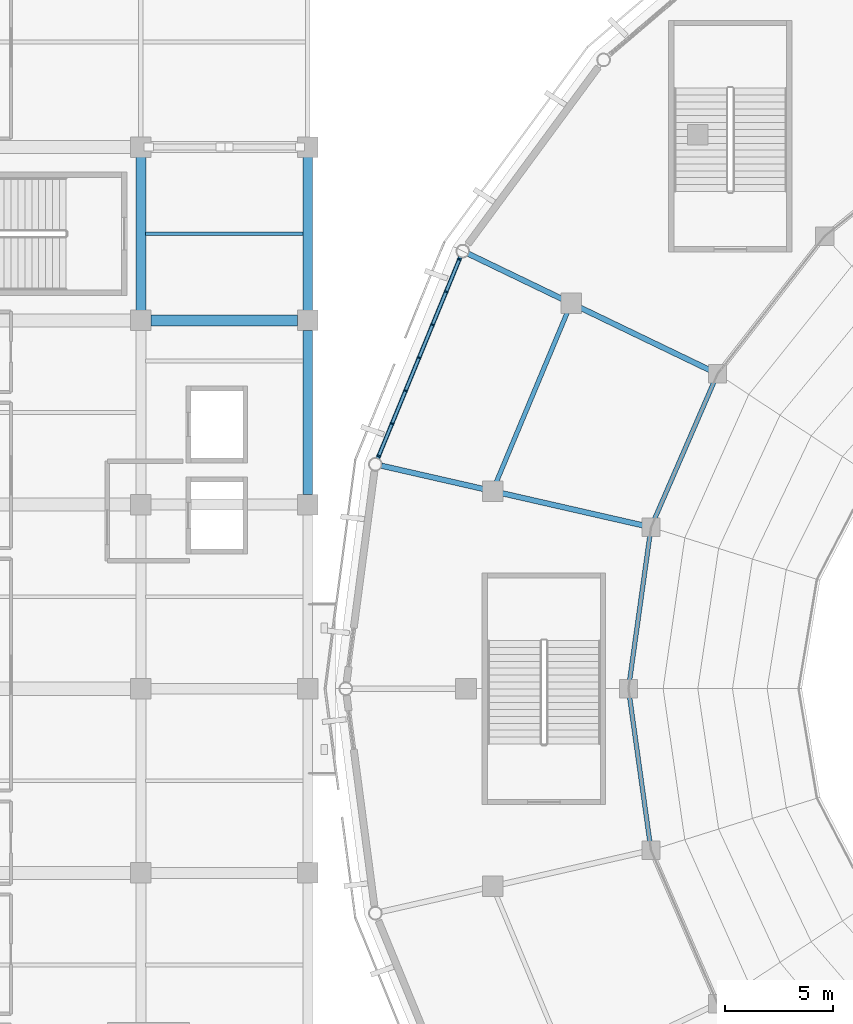
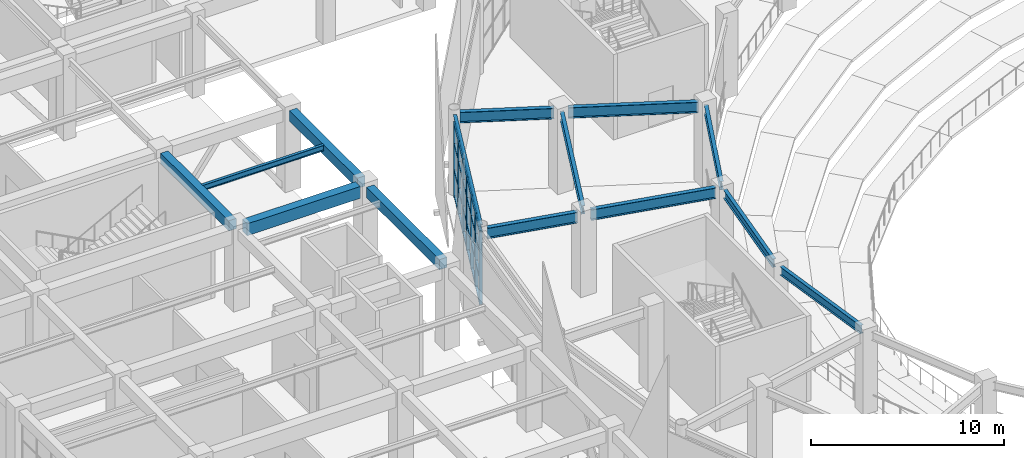
# One storey, part 34 of 120: 31 members, 14 beams, 1 element without a shape of its own.
"""IFC4 building model written with IfcOpenShell, lengths in metres."""

import ifcopenshell
import ifcopenshell.guid

model = None  # the IFC model being written
_history = None  # IfcOwnerHistory: only IFC2X3 demands one
_inside = {}  # id of a spatial element -> (the spatial element, [elements in it])
_under = {}  # id of a project, library or spatial element -> (it, [spatial elements below it])
_declared = {}  # id of a project -> (the project, [libraries it declares])
_typed = {}  # id of a type object -> (the type object, [elements of that type])
_made_of = {}  # id of a material, layer set ... -> (it, [elements and type objects made of it])


def new_model(schema):
    """Start an empty IFC model of exactly this schema.

    Asked for "IFC4X3", IfcOpenShell would pick the latest addendum, in which some entities
    have other attributes; the version numbers below select the first issue.
    IFC2X3 requires an IfcOwnerHistory on every rooted entity: one is made here for all.
    """
    global model, _history
    if schema == "IFC4X3":
        model = ifcopenshell.file(schema_version=(4, 3, 0, 0))
    else:
        model = ifcopenshell.file(schema=schema)
    _inside.clear()
    _under.clear()
    _declared.clear()
    _typed.clear()
    _made_of.clear()
    _history = None
    if model.schema == "IFC2X3":
        org = make("IfcOrganization", Name="unknown")
        user = make(
            "IfcPersonAndOrganization",
            ThePerson=make("IfcPerson", FamilyName="unknown"),
            TheOrganization=org,
        )
        app = make(
            "IfcApplication",
            ApplicationDeveloper=org,
            Version="unknown",
            ApplicationFullName="unknown",
            ApplicationIdentifier="unknown",
        )
        _history = make(
            "IfcOwnerHistory",
            OwningUser=user,
            OwningApplication=app,
            ChangeAction="ADDED",
            CreationDate=0,
        )
    return model


def make(cls, **values):
    """One entity of the class cls with the attributes given. An attribute that is None is left unset."""
    return model.create_entity(
        cls, **{name: value for name, value in values.items() if value is not None}
    )


def rooted(cls, **values):
    """An entity with a GlobalId (a new one), such as an element, a storey or a relation."""
    return make(cls, GlobalId=ifcopenshell.guid.new(), OwnerHistory=_history, **values)


def si_unit(unit_type, name, prefix=None):
    """IfcSIUnit, for example si_unit("LENGTHUNIT", "METRE", prefix="MILLI")."""
    return make("IfcSIUnit", UnitType=unit_type, Prefix=prefix, Name=name)


def assignment(units):
    """IfcUnitAssignment: the units of a project."""
    return None if units is None else make("IfcUnitAssignment", Units=units)


def point(xyz):
    """IfcCartesianPoint."""
    return None if xyz is None else make("IfcCartesianPoint", Coordinates=xyz)


def direction(xyz):
    """IfcDirection."""
    return None if xyz is None else make("IfcDirection", DirectionRatios=xyz)


def frame(location, z_axis=None, x_axis=None):
    """IfcAxis2Placement3D, a coordinate frame: its origin and axes. An axis left out is left unset."""
    return make(
        "IfcAxis2Placement3D",
        Location=point(location),
        Axis=direction(z_axis),
        RefDirection=direction(x_axis),
    )


def frame_2d(location, x_axis=None):
    """IfcAxis2Placement2D, a coordinate frame in the plane: its origin and x axis."""
    return make(
        "IfcAxis2Placement2D", Location=point(location), RefDirection=direction(x_axis)
    )


def origin():
    """The frame at (0, 0, 0) with its axes left unset."""
    return frame((0.0, 0.0, 0.0))


def origin_2d():
    """The frame at (0, 0) in the plane with its x axis left unset."""
    return frame_2d((0.0, 0.0))


def place(relative_to, where):
    """IfcLocalPlacement: puts the frame where relative to a parent placement (None: the world)."""
    return make(
        "IfcLocalPlacement", PlacementRelTo=relative_to, RelativePlacement=where
    )


def context(
    kind, dimensions, precision=None, world=None, true_north=None, identifier=None
):
    """IfcGeometricRepresentationContext, for example the 3D "Model" context."""
    return make(
        "IfcGeometricRepresentationContext",
        ContextIdentifier=identifier,
        ContextType=kind,
        CoordinateSpaceDimension=dimensions,
        Precision=precision,
        WorldCoordinateSystem=world,
        TrueNorth=true_north,
    )


def subcontext(parent, identifier, kind, view, scale=None):
    """IfcGeometricRepresentationSubContext, for example "Body" below "Model"."""
    return make(
        "IfcGeometricRepresentationSubContext",
        ContextIdentifier=identifier,
        ContextType=kind,
        ParentContext=parent,
        TargetScale=scale,
        TargetView=view,
    )


def project(units=None, contexts=None):
    """IfcProject with its units and contexts."""
    return rooted(
        "IfcProject",
        Name="project",
        RepresentationContexts=contexts,
        UnitsInContext=assignment(units),
    )


def spatial(cls, under=None, at=None, **own):
    """A site, building, storey or space (cls), placed at a placement, below another one or the project."""
    s = rooted(cls, ObjectPlacement=at, **own)
    if under is not None:
        _under.setdefault(under.id(), (under, []))[1].append(s)
    return s


def profile(cls, at=None, kind="AREA", **sizes):
    """A parametric profile (cls). Its sizes go by their IFC names, for example OverallWidth=200.0."""
    return make(cls, ProfileType=kind, Position=at, **sizes)


def rectangle(**sizes):
    """IfcRectangleProfileDef."""
    return profile("IfcRectangleProfileDef", **sizes)


def i_section(**sizes):
    """IfcIShapeProfileDef."""
    return profile("IfcIShapeProfileDef", **sizes)


def extrude(swept, where, along, depth):
    """IfcExtrudedAreaSolid: the profile swept, set in the frame where, extruded along a direction by depth."""
    return make(
        "IfcExtrudedAreaSolid",
        SweptArea=swept,
        Position=where,
        ExtrudedDirection=direction(along),
        Depth=depth,
    )


def shape(context_of_items, identifier, shape_type, items):
    """IfcShapeRepresentation: the items that make up one representation, for example the "Body"."""
    return make(
        "IfcShapeRepresentation",
        ContextOfItems=context_of_items,
        RepresentationIdentifier=identifier,
        RepresentationType=shape_type,
        Items=items,
    )


def material(Name=None, Category=None):
    """IfcMaterial."""
    return make("IfcMaterial", Name=Name, Category=Category)


def material_profile(
    of_material, cross_section, Name=None, Category=None, Priority=None
):
    """IfcMaterialProfile: a cross section and its material."""
    return make(
        "IfcMaterialProfile",
        Name=Name,
        Material=of_material,
        Profile=cross_section,
        Priority=Priority,
        Category=Category,
    )


def profile_set(profiles, Name=None, composite=None):
    """IfcMaterialProfileSet."""
    return make(
        "IfcMaterialProfileSet",
        Name=Name,
        MaterialProfiles=profiles,
        CompositeProfile=composite,
    )


def made_of(thing, what):
    """Note that an element or type object is made of a material, layer set ...; save() writes the relation."""
    if what is not None:
        _made_of.setdefault(what.id(), (what, []))[1].append(thing)
    return thing


def type_object(cls, material=None, **own):
    """A type object (cls), such as IfcWallType, which elements share."""
    return made_of(rooted(cls, **own), material)


def element(
    cls,
    number,
    at=None,
    inside=None,
    cuts=None,
    type_object=None,
    material=None,
    context=None,
    identifier="Body",
    shape_type=None,
    held_by="IfcProductDefinitionShape",
    body=None,
    shapes=None,
    **own,
):
    """One element of the class cls, such as IfcWall. Its Tag is "e" and its number.

    at: its placement. inside: the storey or other place that contains it. cuts: it is an
    opening in that element (IfcRelVoidsElement). A single representation is given by context,
    identifier, shape_type and body (its items); several are given by shapes. held_by: the class
    of the entity that holds the representations. save() writes the other relations.
    """
    e = rooted(cls, Tag="e%d" % number, ObjectPlacement=at, **own)
    if body is not None:
        shapes = [shape(context, identifier, shape_type, body)]
    if shapes is not None:
        e.Representation = make(held_by, Representations=shapes)
    if inside is not None:
        _inside.setdefault(inside.id(), (inside, []))[1].append(e)
    if cuts is not None:
        rooted(
            "IfcRelVoidsElement", RelatingBuildingElement=cuts, RelatedOpeningElement=e
        )
    if type_object is not None:
        _typed.setdefault(type_object.id(), (type_object, []))[1].append(e)
    return made_of(e, material)


def aggregate(whole, parts):
    """IfcRelAggregates: a whole, such as a stair, and the parts it consists of."""
    return rooted("IfcRelAggregates", RelatingObject=whole, RelatedObjects=parts)


def save(model, path):
    """Write the relations noted so far, then the file.

    IfcRelAggregates (storeys below a building ...), IfcRelContainedInSpatialStructure (elements
    in a storey), IfcRelDefinesByType, IfcRelAssociatesMaterial and IfcRelDeclares: one each for
    every whole, place, type object, material and project.
    """
    for whole, parts in _under.values():
        aggregate(whole, parts)
    for where, things in _inside.values():
        rooted(
            "IfcRelContainedInSpatialStructure",
            RelatedElements=things,
            RelatingStructure=where,
        )
    for kind, things in _typed.values():
        rooted("IfcRelDefinesByType", RelatedObjects=things, RelatingType=kind)
    for what, things in _made_of.values():
        rooted("IfcRelAssociatesMaterial", RelatedObjects=things, RelatingMaterial=what)
    for by, libraries in _declared.values():
        rooted("IfcRelDeclares", RelatingContext=by, RelatedDefinitions=libraries)
    model.write(path)


model = new_model("IFC4")

# Units and contexts
model_context = context("Model", 3, precision=1e-05, world=origin(), true_north=direction((0.0, 1.0)))
body_context = subcontext(model_context, "Body", "Model", "MODEL_VIEW")
ifc_project = project(units=[si_unit("LENGTHUNIT", "METRE"), si_unit("AREAUNIT", "SQUARE_METRE"), si_unit("VOLUMEUNIT", "CUBIC_METRE"), si_unit("PLANEANGLEUNIT", "RADIAN"), si_unit("MASSUNIT", "GRAM", prefix="KILO")], contexts=[model_context])

# Site, building, storey
site_placement = place(None, origin())
site = spatial("IfcSite", under=ifc_project, at=site_placement, CompositionType="ELEMENT")
building_placement = place(site_placement, origin())
building = spatial("IfcBuilding", under=site, at=building_placement, Name="Cuetzalor Civic Arena", CompositionType="ELEMENT")
storey_placement = place(building_placement, frame((0.0, 0.0, 6.0)))
storey = spatial("IfcBuildingStorey", under=building, at=storey_placement, Name="L01", CompositionType="ELEMENT", Elevation=6.0)

# Beams
ifc_material_1 = material(Name="Concrete C40/50", Category="concrete")
ifc_material_profile_1 = material_profile(ifc_material_1, rectangle(XDim=0.5, YDim=0.75, at=origin_2d()), Name="RC 500x750")
ifc_profile_set_1 = profile_set([ifc_material_profile_1], Name="Concrete C40/50")
beam_type_1 = type_object("IfcBeamType", Name="ConcreteFrameBeam_500x750", PredefinedType="BEAM", material=ifc_profile_set_1)
beam_1_placement = place(storey_placement, frame((-63.534912109375, 17.0, 4.7451171875), z_axis=(1.0, 0.0, 0.0), x_axis=(0.0, 1.0, 0.0)))
element("IfcBeam", 1, at=beam_1_placement, inside=storey, type_object=beam_type_1, Name="Frame Girder V4W-L01-X0374", PredefinedType="BEAM", context=body_context, shape_type="SweptSolid", body=[
    extrude(rectangle(XDim=0.5, YDim=0.75, at=origin_2d()), origin(), (0.0, 0.0, 1.0), 6.77001953125),
])
ifc_material_2 = material(Name="Concrete C40/50", Category="concrete")
ifc_material_profile_2 = material_profile(ifc_material_2, rectangle(XDim=0.449951171875, YDim=0.64990234375, at=origin_2d()), Name="RC 450x650")
ifc_profile_set_2 = profile_set([ifc_material_profile_2], Name="Concrete C40/50")
beam_type_2 = type_object("IfcBeamType", Name="ConcreteTieBeam_450x650", PredefinedType="BEAM", material=ifc_profile_set_2)
beam_2_placement = place(storey_placement, frame((-64.0, 17.465087890625, 4.794921875), z_axis=(0.0, 1.0, 0.0), x_axis=(-1.0, 0.0, 0.0)))
element("IfcBeam", 2, at=beam_2_placement, inside=storey, type_object=beam_type_2, Name="Frame Girder V4W-L01-Y0409", PredefinedType="BEAM", context=body_context, shape_type="SweptSolid", body=[
    extrude(rectangle(XDim=0.449951171875, YDim=0.64990234375, at=origin_2d()), origin(), (0.0, 0.0, 1.0), 7.06982421875),
])
beam_3_placement = place(storey_placement, frame((-56.300048828125, 8.965087890625, 4.794921875), z_axis=(0.0, 1.0, 0.0), x_axis=(-1.0, 0.0, 0.0)))
element("IfcBeam", 3, at=beam_3_placement, inside=storey, type_object=beam_type_2, Name="Frame Girder V4W-L01-Y0418", PredefinedType="BEAM", context=body_context, shape_type="SweptSolid", body=[
    extrude(rectangle(XDim=0.449951171875, YDim=0.64990234375, at=origin_2d()), origin(), (0.0, 0.0, 1.0), 7.56982421875),
])
beam_4_placement = place(storey_placement, frame((-56.300048828125, 17.465087890625, 4.794921875), z_axis=(0.0, 1.0, 0.0), x_axis=(-1.0, 0.0, 0.0)))
element("IfcBeam", 4, at=beam_4_placement, inside=storey, type_object=beam_type_2, Name="Frame Girder V4W-L01-Y0419", PredefinedType="BEAM", context=body_context, shape_type="SweptSolid", body=[
    extrude(rectangle(XDim=0.449951171875, YDim=0.64990234375, at=origin_2d()), origin(), (0.0, 0.0, 1.0), 7.06982421875),
])

# Curtain wall, members
ifc_material_3 = material(Name="Anodised dark bronze aluminium and low-E solar glass", Category="aluminium")
curtain_wall_type = type_object("IfcCurtainWallType", Name="UnitisedCW_9850x4650", PredefinedType="USERDEFINED", material=ifc_material_3)
curtain_wall_placement = place(storey_placement, origin())
curtain_wall = element("IfcCurtainWall", 5, at=curtain_wall_placement, inside=storey, type_object=curtain_wall_type, Name="Drum Triangle Foyer Curtain Wall L01-026", ObjectType="UNITISED CURTAIN WALL", PredefinedType="USERDEFINED")
ifc_material_4 = material(Name="Anodised dark bronze aluminium", Category="aluminium")
ifc_material_profile_3 = material_profile(ifc_material_4, rectangle(XDim=0.070068359375, YDim=0.179931640625, at=origin_2d()), Name="ALU MULLION 70x180")
ifc_profile_set_3 = profile_set([ifc_material_profile_3], Name="Anodised dark bronze aluminium")
member_type_1 = type_object("IfcMemberType", Name="CurtainWallMullion_65x180", PredefinedType="MULLION", material=ifc_profile_set_3)
member_1_placement = place(storey_placement, frame((-53.02490234375, 10.7421875, 0.0), z_axis=(0.0, 0.0, 1.0), x_axis=(0.379391428583, 0.925236263836, 0.0)))
member_1 = element("IfcMember", 6, at=member_1_placement, type_object=member_type_1, Name="CW-11 mullion 1", PredefinedType="MULLION", context=body_context, shape_type="SweptSolid", body=[
    extrude(rectangle(XDim=0.070068359375, YDim=0.179931640625, at=origin_2d()), origin(), (0.0, 0.0, 1.0), 4.653076171875),
])
member_2_placement = place(storey_placement, frame((-52.413818359375, 12.232421875, 0.0), z_axis=(0.0, 0.0, 1.0), x_axis=(0.379391428583, 0.925236263836, 0.0)))
member_2 = element("IfcMember", 7, at=member_2_placement, type_object=member_type_1, Name="CW-11 mullion 2", PredefinedType="MULLION", context=body_context, shape_type="SweptSolid", body=[
    extrude(rectangle(XDim=0.070068359375, YDim=0.179931640625, at=origin_2d()), origin(), (0.0, 0.0, 1.0), 4.653076171875),
])
member_3_placement = place(storey_placement, frame((-51.78955078125, 13.755126953125, 0.0), z_axis=(0.0, 0.0, 1.0), x_axis=(0.379391428583, 0.925236263836, 0.0)))
member_3 = element("IfcMember", 8, at=member_3_placement, type_object=member_type_1, Name="CW-11 mullion 3", PredefinedType="MULLION", context=body_context, shape_type="SweptSolid", body=[
    extrude(rectangle(XDim=0.070068359375, YDim=0.179931640625, at=origin_2d()), origin(), (0.0, 0.0, 1.0), 4.653076171875),
])
member_4_placement = place(storey_placement, frame((-51.1650390625, 15.27783203125, 0.0), z_axis=(0.0, 0.0, 1.0), x_axis=(0.379391428583, 0.925236263836, 0.0)))
member_4 = element("IfcMember", 9, at=member_4_placement, type_object=member_type_1, Name="CW-11 mullion 4", PredefinedType="MULLION", context=body_context, shape_type="SweptSolid", body=[
    extrude(rectangle(XDim=0.070068359375, YDim=0.179931640625, at=origin_2d()), origin(), (0.0, 0.0, 1.0), 4.653076171875),
])
member_5_placement = place(storey_placement, frame((-50.540771484375, 16.800537109375, 0.0), z_axis=(0.0, 0.0, 1.0), x_axis=(0.379391428583, 0.925236263836, 0.0)))
member_5 = element("IfcMember", 10, at=member_5_placement, type_object=member_type_1, Name="CW-11 mullion 5", PredefinedType="MULLION", context=body_context, shape_type="SweptSolid", body=[
    extrude(rectangle(XDim=0.070068359375, YDim=0.179931640625, at=origin_2d()), origin(), (0.0, 0.0, 1.0), 4.653076171875),
])
member_6_placement = place(storey_placement, frame((-49.916259765625, 18.3232421875, 0.0), z_axis=(0.0, 0.0, 1.0), x_axis=(0.379391428583, 0.925236263836, 0.0)))
member_6 = element("IfcMember", 11, at=member_6_placement, type_object=member_type_1, Name="CW-11 mullion 6", PredefinedType="MULLION", context=body_context, shape_type="SweptSolid", body=[
    extrude(rectangle(XDim=0.070068359375, YDim=0.179931640625, at=origin_2d()), origin(), (0.0, 0.0, 1.0), 4.653076171875),
])
member_7_placement = place(storey_placement, frame((-49.30517578125, 19.8134765625, 0.0), z_axis=(0.0, 0.0, 1.0), x_axis=(0.379391428583, 0.925236263836, 0.0)))
member_7 = element("IfcMember", 12, at=member_7_placement, type_object=member_type_1, Name="CW-11 mullion 7", PredefinedType="MULLION", context=body_context, shape_type="SweptSolid", body=[
    extrude(rectangle(XDim=0.070068359375, YDim=0.179931640625, at=origin_2d()), origin(), (0.0, 0.0, 1.0), 4.653076171875),
])
ifc_material_5 = material(Name="Anodised dark bronze aluminium", Category="aluminium")
ifc_material_profile_4 = material_profile(ifc_material_5, rectangle(XDim=0.139892578125, YDim=0.070068359375, at=origin_2d()), Name="ALU TRANSOM 70x140")
ifc_profile_set_4 = profile_set([ifc_material_profile_4], Name="Anodised dark bronze aluminium")
member_type_2 = type_object("IfcMemberType", Name="CurtainWallTransom_65x140", PredefinedType="USERDEFINED", material=ifc_profile_set_4)
member_8_placement = place(storey_placement, frame((-53.01171875, 10.774658203125, 0.034912109375), z_axis=(0.379490282, 0.925195723005, 0.0), x_axis=(-0.925195723005, 0.379490282, 0.0)))
member_8 = element("IfcMember", 13, at=member_8_placement, type_object=member_type_2, Name="CW-11 transom 1.1", ObjectType="TRANSOM", PredefinedType="USERDEFINED", context=body_context, shape_type="SweptSolid", body=[
    extrude(rectangle(XDim=0.139892578125, YDim=0.070068359375, at=origin_2d()), origin(), (0.0, 0.0, 1.0), 1.540771484375),
])
member_9_placement = place(storey_placement, frame((-53.01171875, 10.774658203125, 1.675048828125), z_axis=(0.379490282, 0.925195723005, 0.0), x_axis=(-0.925195723005, 0.379490282, 0.0)))
member_9 = element("IfcMember", 14, at=member_9_placement, type_object=member_type_2, Name="CW-11 transom 1.2", ObjectType="TRANSOM", PredefinedType="USERDEFINED", context=body_context, shape_type="SweptSolid", body=[
    extrude(rectangle(XDim=0.139892578125, YDim=0.070068359375, at=origin_2d()), origin(), (0.0, 0.0, 1.0), 1.540771484375),
])
member_10_placement = place(storey_placement, frame((-53.01171875, 10.774658203125, 3.35009765625), z_axis=(0.379490282, 0.925195723005, 0.0), x_axis=(-0.925195723005, 0.379490282, 0.0)))
member_10 = element("IfcMember", 15, at=member_10_placement, type_object=member_type_2, Name="CW-11 transom 1.3", ObjectType="TRANSOM", PredefinedType="USERDEFINED", context=body_context, shape_type="SweptSolid", body=[
    extrude(rectangle(XDim=0.139892578125, YDim=0.070068359375, at=origin_2d()), origin(), (0.0, 0.0, 1.0), 1.540771484375),
])
member_11_placement = place(storey_placement, frame((-53.01171875, 10.774658203125, 4.617919921875), z_axis=(0.379490282, 0.925195723005, 0.0), x_axis=(-0.925195723005, 0.379490282, 0.0)))
member_11 = element("IfcMember", 16, at=member_11_placement, type_object=member_type_2, Name="CW-11 transom 1.4", ObjectType="TRANSOM", PredefinedType="USERDEFINED", context=body_context, shape_type="SweptSolid", body=[
    extrude(rectangle(XDim=0.139892578125, YDim=0.070068359375, at=origin_2d()), origin(), (0.0, 0.0, 1.0), 1.540771484375),
])
member_12_placement = place(storey_placement, frame((-52.400634765625, 12.264892578125, 0.034912109375), z_axis=(0.37947133734, 0.925203493367, 0.0), x_axis=(-0.925203493367, 0.37947133734, 0.0)))
member_12 = element("IfcMember", 17, at=member_12_placement, type_object=member_type_2, Name="CW-11 transom 2.1", ObjectType="TRANSOM", PredefinedType="USERDEFINED", context=body_context, shape_type="SweptSolid", body=[
    extrude(rectangle(XDim=0.139892578125, YDim=0.070068359375, at=origin_2d()), origin(), (0.0, 0.0, 1.0), 1.57568359375),
])
member_13_placement = place(storey_placement, frame((-52.400634765625, 12.264892578125, 1.675048828125), z_axis=(0.37947133734, 0.925203493367, 0.0), x_axis=(-0.925203493367, 0.37947133734, 0.0)))
member_13 = element("IfcMember", 18, at=member_13_placement, type_object=member_type_2, Name="CW-11 transom 2.2", ObjectType="TRANSOM", PredefinedType="USERDEFINED", context=body_context, shape_type="SweptSolid", body=[
    extrude(rectangle(XDim=0.139892578125, YDim=0.070068359375, at=origin_2d()), origin(), (0.0, 0.0, 1.0), 1.57568359375),
])
member_14_placement = place(storey_placement, frame((-52.400634765625, 12.264892578125, 3.35009765625), z_axis=(0.37947133734, 0.925203493367, 0.0), x_axis=(-0.925203493367, 0.37947133734, 0.0)))
member_14 = element("IfcMember", 19, at=member_14_placement, type_object=member_type_2, Name="CW-11 transom 2.3", ObjectType="TRANSOM", PredefinedType="USERDEFINED", context=body_context, shape_type="SweptSolid", body=[
    extrude(rectangle(XDim=0.139892578125, YDim=0.070068359375, at=origin_2d()), origin(), (0.0, 0.0, 1.0), 1.57568359375),
])
member_15_placement = place(storey_placement, frame((-52.400634765625, 12.264892578125, 4.617919921875), z_axis=(0.37947133734, 0.925203493367, 0.0), x_axis=(-0.925203493367, 0.37947133734, 0.0)))
member_15 = element("IfcMember", 20, at=member_15_placement, type_object=member_type_2, Name="CW-11 transom 2.4", ObjectType="TRANSOM", PredefinedType="USERDEFINED", context=body_context, shape_type="SweptSolid", body=[
    extrude(rectangle(XDim=0.139892578125, YDim=0.070068359375, at=origin_2d()), origin(), (0.0, 0.0, 1.0), 1.57568359375),
])
member_16_placement = place(storey_placement, frame((-51.776123046875, 13.78759765625, 0.034912109375), z_axis=(0.379338688632, 0.925257888, 0.0), x_axis=(-0.925257888, 0.379338688632, 0.0)))
member_16 = element("IfcMember", 21, at=member_16_placement, type_object=member_type_2, Name="CW-11 transom 3.1", ObjectType="TRANSOM", PredefinedType="USERDEFINED", context=body_context, shape_type="SweptSolid", body=[
    extrude(rectangle(XDim=0.139892578125, YDim=0.070068359375, at=origin_2d()), origin(), (0.0, 0.0, 1.0), 1.575439453125),
])
member_17_placement = place(storey_placement, frame((-51.776123046875, 13.78759765625, 1.675048828125), z_axis=(0.379338688632, 0.925257888, 0.0), x_axis=(-0.925257888, 0.379338688632, 0.0)))
member_17 = element("IfcMember", 22, at=member_17_placement, type_object=member_type_2, Name="CW-11 transom 3.2", ObjectType="TRANSOM", PredefinedType="USERDEFINED", context=body_context, shape_type="SweptSolid", body=[
    extrude(rectangle(XDim=0.139892578125, YDim=0.070068359375, at=origin_2d()), origin(), (0.0, 0.0, 1.0), 1.575439453125),
])
member_18_placement = place(storey_placement, frame((-51.776123046875, 13.78759765625, 3.35009765625), z_axis=(0.379338688632, 0.925257888, 0.0), x_axis=(-0.925257888, 0.379338688632, 0.0)))
member_18 = element("IfcMember", 23, at=member_18_placement, type_object=member_type_2, Name="CW-11 transom 3.3", ObjectType="TRANSOM", PredefinedType="USERDEFINED", context=body_context, shape_type="SweptSolid", body=[
    extrude(rectangle(XDim=0.139892578125, YDim=0.070068359375, at=origin_2d()), origin(), (0.0, 0.0, 1.0), 1.575439453125),
])
member_19_placement = place(storey_placement, frame((-51.776123046875, 13.78759765625, 4.617919921875), z_axis=(0.379338688632, 0.925257888, 0.0), x_axis=(-0.925257888, 0.379338688632, 0.0)))
member_19 = element("IfcMember", 24, at=member_19_placement, type_object=member_type_2, Name="CW-11 transom 3.4", ObjectType="TRANSOM", PredefinedType="USERDEFINED", context=body_context, shape_type="SweptSolid", body=[
    extrude(rectangle(XDim=0.139892578125, YDim=0.070068359375, at=origin_2d()), origin(), (0.0, 0.0, 1.0), 1.575439453125),
])
member_20_placement = place(storey_placement, frame((-51.15185546875, 15.310302734375, 0.034912109375), z_axis=(0.37947133734, 0.925203493367, 0.0), x_axis=(-0.925203493367, 0.37947133734, 0.0)))
member_20 = element("IfcMember", 25, at=member_20_placement, type_object=member_type_2, Name="CW-11 transom 4.1", ObjectType="TRANSOM", PredefinedType="USERDEFINED", context=body_context, shape_type="SweptSolid", body=[
    extrude(rectangle(XDim=0.139892578125, YDim=0.070068359375, at=origin_2d()), origin(), (0.0, 0.0, 1.0), 1.57568359375),
])
member_21_placement = place(storey_placement, frame((-51.15185546875, 15.310302734375, 1.675048828125), z_axis=(0.37947133734, 0.925203493367, 0.0), x_axis=(-0.925203493367, 0.37947133734, 0.0)))
member_21 = element("IfcMember", 26, at=member_21_placement, type_object=member_type_2, Name="CW-11 transom 4.2", ObjectType="TRANSOM", PredefinedType="USERDEFINED", context=body_context, shape_type="SweptSolid", body=[
    extrude(rectangle(XDim=0.139892578125, YDim=0.070068359375, at=origin_2d()), origin(), (0.0, 0.0, 1.0), 1.57568359375),
])
member_22_placement = place(storey_placement, frame((-51.15185546875, 15.310302734375, 3.35009765625), z_axis=(0.37947133734, 0.925203493367, 0.0), x_axis=(-0.925203493367, 0.37947133734, 0.0)))
member_22 = element("IfcMember", 27, at=member_22_placement, type_object=member_type_2, Name="CW-11 transom 4.3", ObjectType="TRANSOM", PredefinedType="USERDEFINED", context=body_context, shape_type="SweptSolid", body=[
    extrude(rectangle(XDim=0.139892578125, YDim=0.070068359375, at=origin_2d()), origin(), (0.0, 0.0, 1.0), 1.57568359375),
])
member_23_placement = place(storey_placement, frame((-51.15185546875, 15.310302734375, 4.617919921875), z_axis=(0.37947133734, 0.925203493367, 0.0), x_axis=(-0.925203493367, 0.37947133734, 0.0)))
member_23 = element("IfcMember", 28, at=member_23_placement, type_object=member_type_2, Name="CW-11 transom 4.4", ObjectType="TRANSOM", PredefinedType="USERDEFINED", context=body_context, shape_type="SweptSolid", body=[
    extrude(rectangle(XDim=0.139892578125, YDim=0.070068359375, at=origin_2d()), origin(), (0.0, 0.0, 1.0), 1.57568359375),
])
member_24_placement = place(storey_placement, frame((-50.52734375, 16.832763671875, 0.034912109375), z_axis=(0.379284307452, 0.925280181416, 0.0), x_axis=(-0.925280181416, 0.379284307452, 0.0)))
member_24 = element("IfcMember", 29, at=member_24_placement, type_object=member_type_2, Name="CW-11 transom 5.1", ObjectType="TRANSOM", PredefinedType="USERDEFINED", context=body_context, shape_type="SweptSolid", body=[
    extrude(rectangle(XDim=0.139892578125, YDim=0.070068359375, at=origin_2d()), origin(), (0.0, 0.0, 1.0), 1.57568359375),
])
member_25_placement = place(storey_placement, frame((-50.52734375, 16.832763671875, 1.675048828125), z_axis=(0.379284307452, 0.925280181416, 0.0), x_axis=(-0.925280181416, 0.379284307452, 0.0)))
member_25 = element("IfcMember", 30, at=member_25_placement, type_object=member_type_2, Name="CW-11 transom 5.2", ObjectType="TRANSOM", PredefinedType="USERDEFINED", context=body_context, shape_type="SweptSolid", body=[
    extrude(rectangle(XDim=0.139892578125, YDim=0.070068359375, at=origin_2d()), origin(), (0.0, 0.0, 1.0), 1.57568359375),
])
member_26_placement = place(storey_placement, frame((-50.52734375, 16.832763671875, 3.35009765625), z_axis=(0.379284307452, 0.925280181416, 0.0), x_axis=(-0.925280181416, 0.379284307452, 0.0)))
member_26 = element("IfcMember", 31, at=member_26_placement, type_object=member_type_2, Name="CW-11 transom 5.3", ObjectType="TRANSOM", PredefinedType="USERDEFINED", context=body_context, shape_type="SweptSolid", body=[
    extrude(rectangle(XDim=0.139892578125, YDim=0.070068359375, at=origin_2d()), origin(), (0.0, 0.0, 1.0), 1.57568359375),
])
member_27_placement = place(storey_placement, frame((-50.52734375, 16.832763671875, 4.617919921875), z_axis=(0.379284307452, 0.925280181416, 0.0), x_axis=(-0.925280181416, 0.379284307452, 0.0)))
member_27 = element("IfcMember", 32, at=member_27_placement, type_object=member_type_2, Name="CW-11 transom 5.4", ObjectType="TRANSOM", PredefinedType="USERDEFINED", context=body_context, shape_type="SweptSolid", body=[
    extrude(rectangle(XDim=0.139892578125, YDim=0.070068359375, at=origin_2d()), origin(), (0.0, 0.0, 1.0), 1.57568359375),
])
member_28_placement = place(storey_placement, frame((-49.903076171875, 18.35546875, 0.034912109375), z_axis=(0.379354637702, 0.925251349015, 0.0), x_axis=(-0.925251349015, 0.379354637702, 0.0)))
member_28 = element("IfcMember", 33, at=member_28_placement, type_object=member_type_2, Name="CW-11 transom 6.1", ObjectType="TRANSOM", PredefinedType="USERDEFINED", context=body_context, shape_type="SweptSolid", body=[
    extrude(rectangle(XDim=0.139892578125, YDim=0.070068359375, at=origin_2d()), origin(), (0.0, 0.0, 1.0), 1.540771484375),
])
member_29_placement = place(storey_placement, frame((-49.903076171875, 18.35546875, 1.675048828125), z_axis=(0.379354637702, 0.925251349015, 0.0), x_axis=(-0.925251349015, 0.379354637702, 0.0)))
member_29 = element("IfcMember", 34, at=member_29_placement, type_object=member_type_2, Name="CW-11 transom 6.2", ObjectType="TRANSOM", PredefinedType="USERDEFINED", context=body_context, shape_type="SweptSolid", body=[
    extrude(rectangle(XDim=0.139892578125, YDim=0.070068359375, at=origin_2d()), origin(), (0.0, 0.0, 1.0), 1.540771484375),
])
member_30_placement = place(storey_placement, frame((-49.903076171875, 18.35546875, 3.35009765625), z_axis=(0.379354637702, 0.925251349015, 0.0), x_axis=(-0.925251349015, 0.379354637702, 0.0)))
member_30 = element("IfcMember", 35, at=member_30_placement, type_object=member_type_2, Name="CW-11 transom 6.3", ObjectType="TRANSOM", PredefinedType="USERDEFINED", context=body_context, shape_type="SweptSolid", body=[
    extrude(rectangle(XDim=0.139892578125, YDim=0.070068359375, at=origin_2d()), origin(), (0.0, 0.0, 1.0), 1.540771484375),
])
member_31_placement = place(storey_placement, frame((-49.903076171875, 18.35546875, 4.617919921875), z_axis=(0.379354637702, 0.925251349015, 0.0), x_axis=(-0.925251349015, 0.379354637702, 0.0)))
member_31 = element("IfcMember", 36, at=member_31_placement, type_object=member_type_2, Name="CW-11 transom 6.4", ObjectType="TRANSOM", PredefinedType="USERDEFINED", context=body_context, shape_type="SweptSolid", body=[
    extrude(rectangle(XDim=0.139892578125, YDim=0.070068359375, at=origin_2d()), origin(), (0.0, 0.0, 1.0), 1.540771484375),
])
aggregate(curtain_wall, [member_1, member_2, member_3, member_4, member_5, member_6, member_7, member_8, member_9, member_10, member_11, member_12, member_13, member_14, member_15, member_16, member_17, member_18, member_19, member_20, member_21, member_22, member_23, member_24, member_25, member_26, member_27, member_28, member_29, member_30, member_31])

# Beams
ifc_material_6 = material(Name="Steel S355", Category="steel")
ifc_material_profile_5 = material_profile(ifc_material_6, i_section(OverallWidth=0.18994140625, OverallDepth=0.45703125, WebThickness=0.009033203125, FlangeThickness=0.014404296875, at=origin_2d()), Name="W460x74")
ifc_profile_set_5 = profile_set([ifc_material_profile_5], Name="Steel S355")
beam_type_3 = type_object("IfcBeamType", Name="FacadeSpandrelBeam_W460", PredefinedType="SPANDREL", material=ifc_profile_set_5)
beam_5_placement = place(storey_placement, frame((-49.2578125, 19.928955078125, 4.8916015625), z_axis=(-0.379398599643, -0.925233323324, 0.0), x_axis=(0.925233323324, -0.379398599643, 0.0)))
element("IfcBeam", 37, at=beam_5_placement, inside=storey, type_object=beam_type_3, Name="Drum Perimeter Spandrel L01-S13", PredefinedType="SPANDREL", context=body_context, shape_type="SweptSolid", body=[
    extrude(i_section(OverallWidth=0.18994140625, OverallDepth=0.45703125, WebThickness=0.009033203125, FlangeThickness=0.014404296875, at=origin_2d()), origin(), (0.0, 0.0, 1.0), 10.053955078125),
])
ifc_material_7 = material(Name="Steel S355", Category="steel")
ifc_material_profile_6 = material_profile(ifc_material_7, i_section(OverallWidth=0.1708984375, OverallDepth=0.35498046875, WebThickness=0.007080078125, FlangeThickness=0.01171875, at=origin_2d()), Name="W360x51")
ifc_profile_set_6 = profile_set([ifc_material_profile_6], Name="Steel S355")
beam_type_4 = type_object("IfcBeamType", Name="SecondaryFloorJoist_W360", PredefinedType="JOIST", material=ifc_profile_set_6)
beam_6_placement = place(storey_placement, frame((-63.782958984375, 21.0, 4.9423828125), z_axis=(1.0, 0.0, 0.0), x_axis=(0.0, 1.0, 0.0)))
element("IfcBeam", 38, at=beam_6_placement, inside=storey, type_object=beam_type_4, Name="Secondary Floor Joist V4W-L01-0129", PredefinedType="JOIST", context=body_context, shape_type="SweptSolid", body=[
    extrude(i_section(OverallWidth=0.1708984375, OverallDepth=0.35498046875, WebThickness=0.007080078125, FlangeThickness=0.01171875, at=origin_2d()), origin(), (0.0, 0.0, 1.0), 7.265869140625),
])
ifc_material_8 = material(Name="Steel S355", Category="steel")
ifc_material_profile_7 = material_profile(ifc_material_8, i_section(OverallWidth=0.208984375, OverallDepth=0.532958984375, WebThickness=0.01025390625, FlangeThickness=0.015625, at=origin_2d()), Name="W530x92")
ifc_profile_set_7 = profile_set([ifc_material_profile_7], Name="Steel S355")
beam_type_5 = type_object("IfcBeamType", Name="SteelCollarGirder_W530", PredefinedType="BEAM", material=ifc_profile_set_7)
beam_7_placement = place(storey_placement, frame((-44.290283203125, 17.44775390625, 4.853515625), z_axis=(-0.385813116722, -0.922576955579, 0.0), x_axis=(0.922576955579, -0.385813116722, 0.0)))
element("IfcBeam", 39, at=beam_7_placement, inside=storey, type_object=beam_type_5, Name="Drum Concourse Ring Girder L01-S13", PredefinedType="BEAM", context=body_context, shape_type="SweptSolid", body=[
    extrude(i_section(OverallWidth=0.208984375, OverallDepth=0.532958984375, WebThickness=0.01025390625, FlangeThickness=0.015625, at=origin_2d()), origin(), (0.0, 0.0, 1.0), 8.65283203125),
])
beam_8_placement = place(storey_placement, frame((-37.533447265625, 14.204833984375, 4.853515625), z_axis=(-0.39772689401, -0.917503851644, 0.0), x_axis=(0.917503851644, -0.39772689401, 0.0)))
element("IfcBeam", 40, at=beam_8_placement, inside=storey, type_object=beam_type_5, Name="Bowl Inner Ring Girder L01-S13", PredefinedType="BEAM", context=body_context, shape_type="SweptSolid", body=[
    extrude(i_section(OverallWidth=0.208984375, OverallDepth=0.532958984375, WebThickness=0.01025390625, FlangeThickness=0.015625, at=origin_2d()), origin(), (0.0, 0.0, 1.0), 6.9970703125),
])
for number, where, z_axis, x_axis, name in (
    (41, (-40.50927734375, 7.097900390625, 4.853515625), (-0.138232032173, -0.990399871406, 0.0), (0.990399871406, -0.138232032173, 0.0), "Bowl Inner Ring Girder L01-S14"),
    (42, (-41.4501953125, -0.3564453125, 4.853515625), (0.138232032173, -0.990399871406, 0.0), (0.990399871406, 0.138232032173, 0.0), "Bowl Inner Ring Girder L01-S15"),
):
    element("IfcBeam", number, at=place(storey_placement, frame(where, z_axis=z_axis, x_axis=x_axis)), inside=storey, type_object=beam_type_5, Name=name, PredefinedType="BEAM", context=body_context, shape_type="SweptSolid", body=[
        extrude(i_section(OverallWidth=0.208984375, OverallDepth=0.532958984375, WebThickness=0.01025390625, FlangeThickness=0.015625, at=origin_2d()), origin(), (0.0, 0.0, 1.0), 6.806884765625),
    ])
ifc_material_9 = material(Name="Steel S355", Category="steel")
ifc_material_profile_8 = material_profile(ifc_material_9, i_section(OverallWidth=0.2529296875, OverallDepth=0.677978515625, WebThickness=0.01171875, FlangeThickness=0.016357421875, at=origin_2d()), Name="W690x125")
ifc_profile_set_8 = profile_set([ifc_material_profile_8], Name="Steel S355")
beam_type_6 = type_object("IfcBeamType", Name="SteelPrimaryGirder_W690", PredefinedType="BEAM", material=ifc_profile_set_8)
beam_9_placement = place(storey_placement, frame((-44.4716796875, 17.9453125, 4.781005859375), z_axis=(-0.900964883231, 0.433892013275, 0.0), x_axis=(-0.433892013275, -0.900964883231, 0.0)))
element("IfcBeam", 43, at=beam_9_placement, inside=storey, type_object=beam_type_6, Name="Drum Radial Girder L01-R13", PredefinedType="BEAM", context=body_context, shape_type="SweptSolid", body=[
    extrude(i_section(OverallWidth=0.2529296875, OverallDepth=0.677978515625, WebThickness=0.01171875, FlangeThickness=0.016357421875, at=origin_2d()), origin(), (0.0, 0.0, 1.0), 4.900390625),
])
beam_10_placement = place(storey_placement, frame((-37.714599609375, 14.69140625, 4.781005859375), z_axis=(-0.900975603874, 0.433869751452, 0.0), x_axis=(-0.433869751452, -0.900975603874, 0.0)))
element("IfcBeam", 44, at=beam_10_placement, inside=storey, type_object=beam_type_6, Name="Drum Inner Radial Girder L01-R13", PredefinedType="BEAM", context=body_context, shape_type="SweptSolid", body=[
    extrude(i_section(OverallWidth=0.2529296875, OverallDepth=0.677978515625, WebThickness=0.01171875, FlangeThickness=0.016357421875, at=origin_2d()), origin(), (0.0, 0.0, 1.0), 6.780029296875),
])
beam_11_placement = place(storey_placement, frame((-48.12255859375, 9.20361328125, 4.781005859375), z_axis=(-0.974939153271, 0.222471677792, 0.0), x_axis=(-0.222471677792, -0.974939153271, 0.0)))
element("IfcBeam", 45, at=beam_11_placement, inside=storey, type_object=beam_type_6, Name="Drum Radial Girder L01-R14", PredefinedType="BEAM", context=body_context, shape_type="SweptSolid", body=[
    extrude(i_section(OverallWidth=0.2529296875, OverallDepth=0.677978515625, WebThickness=0.01171875, FlangeThickness=0.016357421875, at=origin_2d()), origin(), (0.0, 0.0, 1.0), 4.89990234375),
])
beam_12_placement = place(storey_placement, frame((-40.810546875, 7.53466796875, 4.781005859375), z_axis=(-0.974931535482, 0.222505058645, 0.0), x_axis=(-0.222505058645, -0.974931535482, 0.0)))
element("IfcBeam", 46, at=beam_12_placement, inside=storey, type_object=beam_type_6, Name="Drum Inner Radial Girder L01-R14", PredefinedType="BEAM", context=body_context, shape_type="SweptSolid", body=[
    extrude(i_section(OverallWidth=0.2529296875, OverallDepth=0.677978515625, WebThickness=0.01171875, FlangeThickness=0.016357421875, at=origin_2d()), origin(), (0.0, 0.0, 1.0), 6.77978515625),
])

save(model, "model.ifc")
